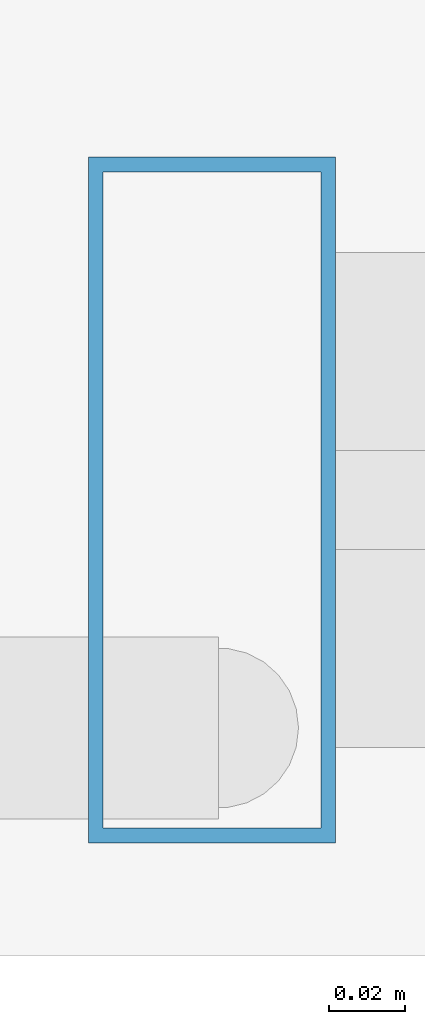
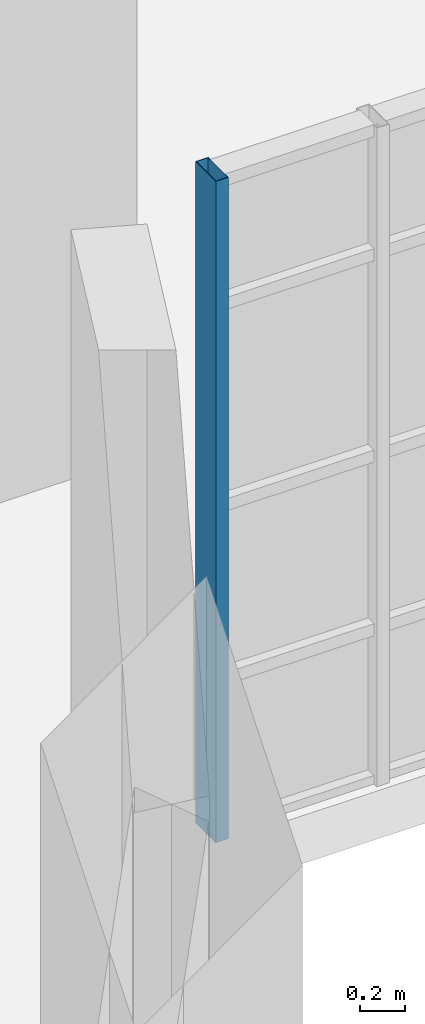
# One storey, part 15 of 122: 1 member, 1 element without a shape of its own.
"""IFC4 building model written with IfcOpenShell, lengths in metres."""

from ifc_helpers import new_model, si_unit, direction, frame, origin, origin_2d, place, context, subcontext, project, spatial, hollow_rectangle, extrude, material, layer, layer_set, material_profile, profile_set, type_object, element, aggregate, save


model = new_model("IFC4")

# Units and contexts
model_context = context("Model", 3, precision=1e-05, world=origin(), true_north=direction((0.0, 1.0)))
body_context = subcontext(model_context, "Body", "Model", "MODEL_VIEW")
ifc_project = project(units=[si_unit("LENGTHUNIT", "METRE"), si_unit("AREAUNIT", "SQUARE_METRE"), si_unit("VOLUMEUNIT", "CUBIC_METRE"), si_unit("PLANEANGLEUNIT", "RADIAN"), si_unit("MASSUNIT", "GRAM", prefix="KILO"), si_unit("THERMODYNAMICTEMPERATUREUNIT", "KELVIN"), si_unit("POWERUNIT", "WATT")], contexts=[model_context])

# Site, building, storey
site_placement = place(None, origin())
site = spatial("IfcSite", under=ifc_project, at=site_placement, CompositionType="ELEMENT")
building_placement = place(site_placement, origin())
building = spatial("IfcBuilding", under=site, at=building_placement, Name="Zelmaris Science Centre", CompositionType="ELEMENT")
storey_placement = place(building_placement, frame((0.0, 0.0, 10.800048828125)))
storey = spatial("IfcBuildingStorey", under=building, at=storey_placement, Name="L02", CompositionType="ELEMENT", Elevation=10.800048828125)

# Curtain wall, member
ifc_material = material(Name="Anodised architectural aluminium 6063-T6", Category="aluminium")
ifc_layer = layer(ifc_material, 0.2099609375, Name="Anodised architectural aluminium 6063-T6")
ifc_layer_set = layer_set([ifc_layer], Name="Anodised architectural aluminium 6063-T6")
curtain_wall_type = type_object("IfcCurtainWallType", Name="Curtain Wall CW-03", PredefinedType="USERDEFINED", material=ifc_layer_set)
curtain_wall_placement = place(storey_placement, origin())
curtain_wall = element("IfcCurtainWall", 1, at=curtain_wall_placement, inside=storey, type_object=curtain_wall_type, Name="L02 Unitised curtain wall 259", ObjectType="GLAZED CURTAIN WALL", PredefinedType="USERDEFINED")
ifc_material_profile = material_profile(ifc_material, hollow_rectangle(XDim=0.06494140625, YDim=0.179931640625, WallThickness=0.00390625, at=origin_2d()), Name="ALU-MUL-65X180")
ifc_profile_set = profile_set([ifc_material_profile], Name="Anodised architectural aluminium 6063-T6")
member_type = type_object("IfcMemberType", Name="ALU-MUL-65X180", PredefinedType="MULLION", material=ifc_profile_set)
member_placement = place(storey_placement, frame((40.404296875, 66.11962890625, -0.01513671875), z_axis=(0.0, 0.0, 1.0), x_axis=(-1.0, 0.0, 0.0)))
member = element("IfcMember", 2, at=member_placement, type_object=member_type, Name="CW-03 mullion 6", PredefinedType="MULLION", context=body_context, shape_type="SweptSolid", body=[
    extrude(hollow_rectangle(XDim=0.06494140625, YDim=0.179931640625, WallThickness=0.00390625, at=origin_2d()), origin(), (0.0, 0.0, 1.0), 3.580078125),
])
aggregate(curtain_wall, [member])

save(model, "model.ifc")
